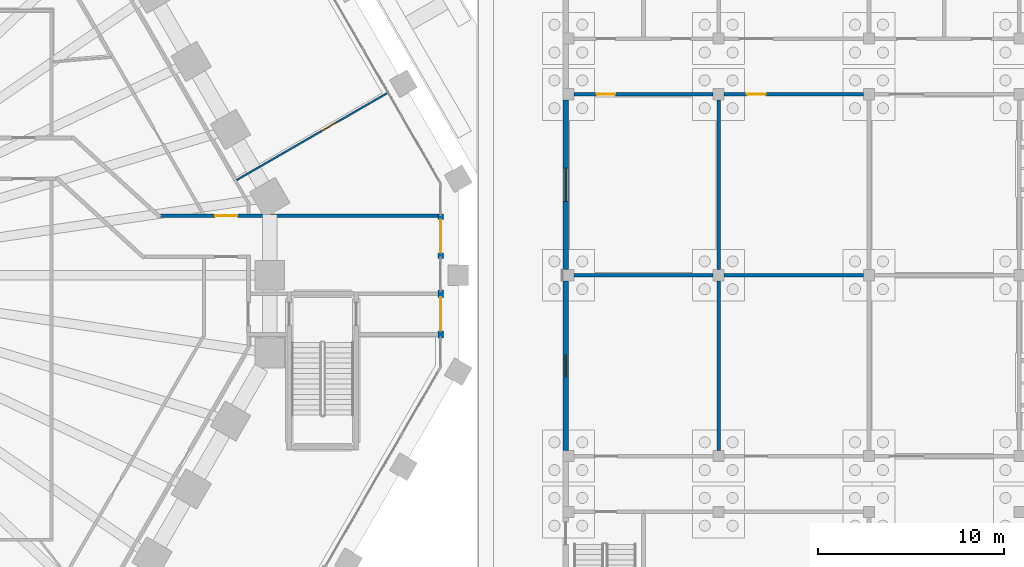
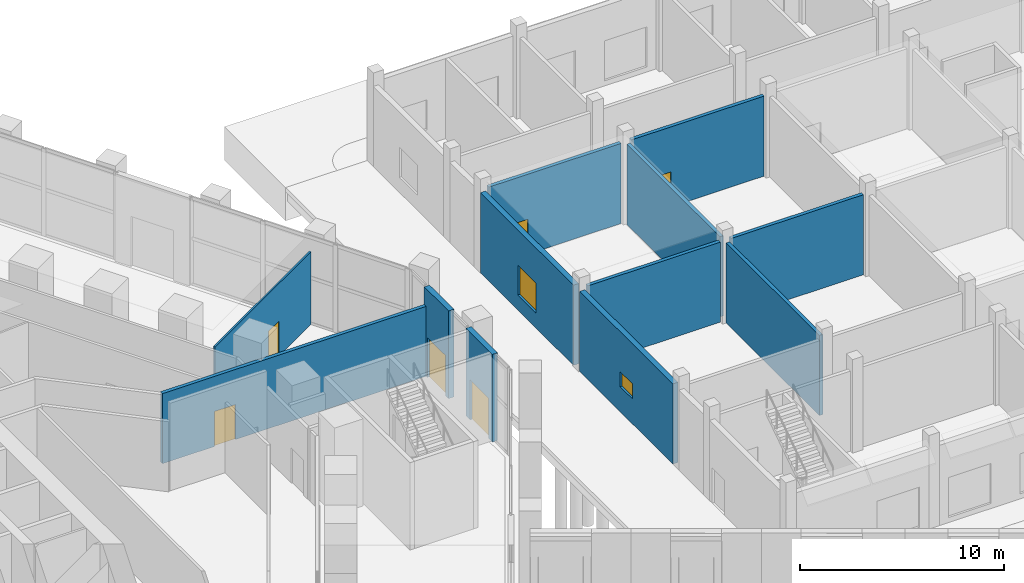
# One storey, part 23 of 44: 12 walls, 6 doors, 2 windows, 8 openings.
"""IFC4 building model written with IfcOpenShell, lengths in metres."""

from ifc_helpers import new_model, si_unit, direction, frame, frame_2d, origin, place, context, subcontext, project, spatial, rectangle, extrude, material, layer, layer_set, type_object, element, fill, save


model = new_model("IFC4")

# Units and contexts
model_context = context("Model", 3, precision=1e-05, world=origin(), true_north=direction((0.0, 1.0)))
body_context = subcontext(model_context, "Body", "Model", "MODEL_VIEW")
ifc_project = project(units=[si_unit("LENGTHUNIT", "METRE"), si_unit("AREAUNIT", "SQUARE_METRE"), si_unit("VOLUMEUNIT", "CUBIC_METRE"), si_unit("PLANEANGLEUNIT", "RADIAN"), si_unit("MASSUNIT", "GRAM", prefix="KILO")], contexts=[model_context])

# Site, building, storey
site_placement = place(None, origin())
site = spatial("IfcSite", under=ifc_project, at=site_placement, CompositionType="ELEMENT")
building_placement = place(site_placement, origin())
building = spatial("IfcBuilding", under=site, at=building_placement, Name="Frailejon Research Tower", CompositionType="ELEMENT")
storey_placement = place(building_placement, origin())
storey = spatial("IfcBuildingStorey", under=building, at=storey_placement, Name="L00", CompositionType="ELEMENT", Elevation=0.0)

# Wall, opening, door
ifc_material_1 = material(Name="Gypsum board and masonry partition", Category="masonry")
ifc_layer_1 = layer(ifc_material_1, 0.199951171875)
ifc_layer_set_1 = layer_set([ifc_layer_1], Name="Enclosure wall EI 120, blockwork 200")
wall_type_1 = type_object("IfcWallType", Name="Enclosure wall EI 120, blockwork 200", PredefinedType="PARTITIONING", material=ifc_layer_set_1)
wall_1_placement = place(storey_placement, frame((22.526611328125, 3.199951171875, 0.0), z_axis=(0.0, 0.0, 1.0), x_axis=(1.0, 0.0, 0.0)))
wall_1 = element("IfcWall", 1, at=wall_1_placement, inside=storey, type_object=wall_type_1, Name="T:IW:L00:048", PredefinedType="PARTITIONING", context=body_context, shape_type="SweptSolid", body=[
    extrude(rectangle(XDim=15.092529296875, YDim=0.199951171875, at=frame_2d((7.54638671875, 0.0))), origin(), (0.0, 0.0, 1.0), 4.199951171875),
])
opening_1_placement = place(wall_1_placement, frame((2.936279296875, 0.0, 0.0)))
opening_1 = element("IfcOpeningElement", 2, at=opening_1_placement, cuts=wall_1, Name="Opening D1022", PredefinedType="OPENING", context=body_context, shape_type="SweptSolid", body=[
    extrude(rectangle(XDim=1.199951171875, YDim=2.10009765625, at=frame_2d((0.60009765625, 1.050048828125))), frame((0.0, 0.10986328125, 0.0), z_axis=(0.0, -1.0, 0.0), x_axis=(1.0, 0.0, 0.0)), (0.0, 0.0, 1.0), 0.219970703125),
])
ifc_material_2 = material(Name="Steel door leaf", Category="steel")
door_type_1 = type_object("IfcDoorType", Name="Door exit passage, steel, fire rated 1200", OperationType="NOTDEFINED", PredefinedType="DOOR", material=ifc_material_2)
door_1_placement = place(opening_1_placement, origin())
door_1 = element("IfcDoor", 3, at=door_1_placement, inside=storey, type_object=door_type_1, Name="D1022", OperationType="SINGLE_SWING_RIGHT", OverallHeight=2.10009765625, OverallWidth=1.199951171875, PredefinedType="DOOR", context=body_context, shape_type="SweptSolid", body=[
    extrude(rectangle(XDim=1.199951171875, YDim=2.10009765625, at=frame_2d((0.60009765625, 1.050048828125))), frame((0.0, 0.02490234375, 0.0), z_axis=(0.0, -1.0, 0.0), x_axis=(1.0, 0.0, 0.0)), (0.0, 0.0, 1.0), 0.050048828125),
])
fill(opening_1, door_1)

# Wall, opening, window
ifc_material_3 = material(Name="Insulated masonry cavity wall", Category="masonry")
ifc_layer_2 = layer(ifc_material_3, 0.300048828125)
ifc_layer_set_2 = layer_set([ifc_layer_2], Name="HC facade wall 300")
wall_type_2 = type_object("IfcWallType", Name="HC facade wall 300", PredefinedType="SOLIDWALL", material=ifc_layer_set_2)
wall_2_placement = place(storey_placement, frame((44.35009765625, -9.449951171875, 0.0), z_axis=(0.0, 0.0, 1.0), x_axis=(0.0, 1.0, 0.0)))
wall_2 = element("IfcWall", 4, at=wall_2_placement, inside=storey, type_object=wall_type_2, Name="HC facade wall", PredefinedType="SOLIDWALL", context=body_context, shape_type="SweptSolid", body=[
    extrude(rectangle(XDim=9.14990234375, YDim=0.300048828125, at=frame_2d((4.574951171875, 0.0))), origin(), (0.0, 0.0, 1.0), 4.800048828125),
])
opening_2_placement = place(wall_2_placement, frame((3.97509765625, 0.0, 1.5)))
opening_2 = element("IfcOpeningElement", 5, at=opening_2_placement, cuts=wall_2, Name="Opening HW011", PredefinedType="OPENING", context=body_context, shape_type="SweptSolid", body=[
    extrude(rectangle(XDim=1.199951171875, YDim=0.89990234375, at=frame_2d((0.60009765625, 0.449951171875))), frame((0.0, 0.159912109375, 0.0), z_axis=(0.0, -1.0, 0.0), x_axis=(1.0, 0.0, 0.0)), (0.0, 0.0, 1.0), 0.320068359375),
])
ifc_material_4 = material(Name="Aluminium framed double glazing", Category="aluminium")
window_type_1 = type_object("IfcWindowType", Name="HC window 1200x900", PartitioningType="SINGLE_PANEL", PredefinedType="WINDOW", material=ifc_material_4)
window_1_placement = place(opening_2_placement, origin())
window_1 = element("IfcWindow", 6, at=window_1_placement, inside=storey, type_object=window_type_1, Name="Window HW011 (HCW2)", OverallHeight=0.89990234375, OverallWidth=1.199951171875, PartitioningType="SINGLE_PANEL", PredefinedType="WINDOW", context=body_context, shape_type="SweptSolid", body=[
    extrude(rectangle(XDim=1.199951171875, YDim=0.89990234375, at=frame_2d((0.60009765625, 0.449951171875))), frame((0.0, 0.030029296875, 0.0), z_axis=(0.0, -1.0, 0.0), x_axis=(1.0, 0.0, 0.0)), (0.0, 0.0, 1.0), 0.06005859375),
])
fill(opening_2, window_1)

wall_3_placement = place(storey_placement, frame((44.35009765625, 0.300048828125, 0.0), z_axis=(0.0, 0.0, 1.0), x_axis=(0.0, 1.0, 0.0)))
wall_3 = element("IfcWall", 7, at=wall_3_placement, inside=storey, type_object=wall_type_2, Name="HC facade wall", PredefinedType="SOLIDWALL", context=body_context, shape_type="SweptSolid", body=[
    extrude(rectangle(XDim=9.14990234375, YDim=0.300048828125, at=frame_2d((4.574951171875, 0.0))), origin(), (0.0, 0.0, 1.0), 4.800048828125),
])
opening_3_placement = place(wall_3_placement, frame((3.675048828125, 0.0, 0.89990234375)))
opening_3 = element("IfcOpeningElement", 8, at=opening_3_placement, cuts=wall_3, Name="Opening HW012", PredefinedType="OPENING", context=body_context, shape_type="SweptSolid", body=[
    extrude(rectangle(XDim=1.800048828125, YDim=1.800048828125, at=frame_2d((0.89990234375, 0.89990234375))), frame((0.0, 0.159912109375, 0.0), z_axis=(0.0, -1.0, 0.0), x_axis=(1.0, 0.0, 0.0)), (0.0, 0.0, 1.0), 0.320068359375),
])
ifc_material_5 = material(Name="Aluminium framed double glazing", Category="aluminium")
window_type_2 = type_object("IfcWindowType", Name="HC window 1800x1800", PartitioningType="SINGLE_PANEL", PredefinedType="WINDOW", material=ifc_material_5)
window_2_placement = place(opening_3_placement, origin())
window_2 = element("IfcWindow", 9, at=window_2_placement, inside=storey, type_object=window_type_2, Name="Window HW012 (HCW1)", OverallHeight=1.800048828125, OverallWidth=1.800048828125, PartitioningType="SINGLE_PANEL", PredefinedType="WINDOW", context=body_context, shape_type="SweptSolid", body=[
    extrude(rectangle(XDim=1.800048828125, YDim=1.800048828125, at=frame_2d((0.89990234375, 0.89990234375))), frame((0.0, 0.030029296875, 0.0), z_axis=(0.0, -1.0, 0.0), x_axis=(1.0, 0.0, 0.0)), (0.0, 0.0, 1.0), 0.06005859375),
])
fill(opening_3, window_2)

# Walls
ifc_material_6 = material(Name="Masonry blockwork partition", Category="masonry")
ifc_layer_3 = layer(ifc_material_6, 0.199951171875)
ifc_layer_set_3 = layer_set([ifc_layer_3], Name="HC partition 200")
wall_type_3 = type_object("IfcWallType", Name="HC partition 200", PredefinedType="PARTITIONING", material=ifc_layer_set_3)
for number, where, z_axis, x_axis, name in (
    (10, (44.800048828125, 0.0, 0.0), (0.0, 0.0, 1.0), (1.0, 0.0, 0.0), "HC partition"),
    (11, (52.89990234375, 0.0, 0.0), (0.0, 0.0, 1.0), (1.0, 0.0, 0.0), "HC partition"),
):
    element("IfcWall", number, at=place(storey_placement, frame(where, z_axis=z_axis, x_axis=x_axis)), inside=storey, type_object=wall_type_3, Name=name, PredefinedType="PARTITIONING", context=body_context, shape_type="SweptSolid", body=[
        extrude(rectangle(XDim=7.5, YDim=0.199951171875, at=frame_2d((3.75, 0.0))), origin(), (0.0, 0.0, 1.0), 4.800048828125),
    ])
for number, where, z_axis, x_axis, name in (
    (12, (52.60009765625, -9.449951171875, 0.0), (0.0, 0.0, 1.0), (0.0, 1.0, 0.0), "HC partition"),
    (13, (52.60009765625, 0.300048828125, 0.0), (0.0, 0.0, 1.0), (0.0, 1.0, 0.0), "HC partition"),
):
    element("IfcWall", number, at=place(storey_placement, frame(where, z_axis=z_axis, x_axis=x_axis)), inside=storey, type_object=wall_type_3, Name=name, PredefinedType="PARTITIONING", context=body_context, shape_type="SweptSolid", body=[
        extrude(rectangle(XDim=9.14990234375, YDim=0.199951171875, at=frame_2d((4.574951171875, 0.0))), origin(), (0.0, 0.0, 1.0), 4.800048828125),
    ])

# Wall, opening, door
wall_4_placement = place(storey_placement, frame((44.800048828125, 9.75, 0.0), z_axis=(0.0, 0.0, 1.0), x_axis=(1.0, 0.0, 0.0)))
wall_4 = element("IfcWall", 14, at=wall_4_placement, inside=storey, type_object=wall_type_3, Name="HC partition", PredefinedType="PARTITIONING", context=body_context, shape_type="SweptSolid", body=[
    extrude(rectangle(XDim=7.5, YDim=0.199951171875, at=frame_2d((3.75, 0.0))), origin(), (0.0, 0.0, 1.0), 4.800048828125),
])
opening_4_placement = place(wall_4_placement, frame((1.22509765625, 0.0, 0.0)))
opening_4 = element("IfcOpeningElement", 15, at=opening_4_placement, cuts=wall_4, Name="Opening HD015", PredefinedType="OPENING", context=body_context, shape_type="SweptSolid", body=[
    extrude(rectangle(XDim=1.0, YDim=2.10009765625, at=frame_2d((0.5, 1.050048828125))), frame((0.0, 0.10986328125, 0.0), z_axis=(0.0, -1.0, 0.0), x_axis=(1.0, 0.0, 0.0)), (0.0, 0.0, 1.0), 0.219970703125),
])
ifc_material_7 = material(Name="Timber veneered fire door leaf", Category="wood")
door_type_2 = type_object("IfcDoorType", Name="HC door 1000 right", OperationType="SINGLE_SWING_RIGHT", PredefinedType="DOOR", material=ifc_material_7)
door_2_placement = place(opening_4_placement, origin())
door_2 = element("IfcDoor", 16, at=door_2_placement, inside=storey, type_object=door_type_2, Name="Door HD015", OperationType="SINGLE_SWING_RIGHT", OverallHeight=2.10009765625, OverallWidth=1.0, PredefinedType="DOOR", context=body_context, shape_type="SweptSolid", body=[
    extrude(rectangle(XDim=1.0, YDim=2.10009765625, at=frame_2d((0.5, 1.050048828125))), frame((0.0, 0.02490234375, 0.0), z_axis=(0.0, -1.0, 0.0), x_axis=(1.0, 0.0, 0.0)), (0.0, 0.0, 1.0), 0.050048828125),
])
fill(opening_4, door_2)

wall_5_placement = place(storey_placement, frame((52.89990234375, 9.75, 0.0), z_axis=(0.0, 0.0, 1.0), x_axis=(1.0, 0.0, 0.0)))
wall_5 = element("IfcWall", 17, at=wall_5_placement, inside=storey, type_object=wall_type_3, Name="HC partition", PredefinedType="PARTITIONING", context=body_context, shape_type="SweptSolid", body=[
    extrude(rectangle(XDim=7.5, YDim=0.199951171875, at=frame_2d((3.75, 0.0))), origin(), (0.0, 0.0, 1.0), 4.800048828125),
])
opening_5_placement = place(wall_5_placement, frame((1.22509765625, 0.0, 0.0)))
opening_5 = element("IfcOpeningElement", 18, at=opening_5_placement, cuts=wall_5, Name="Opening HD016", PredefinedType="OPENING", context=body_context, shape_type="SweptSolid", body=[
    extrude(rectangle(XDim=1.0, YDim=2.10009765625, at=frame_2d((0.5, 1.050048828125))), frame((0.0, 0.10986328125, 0.0), z_axis=(0.0, -1.0, 0.0), x_axis=(1.0, 0.0, 0.0)), (0.0, 0.0, 1.0), 0.219970703125),
])
ifc_material_8 = material(Name="Timber veneered fire door leaf", Category="wood")
door_type_3 = type_object("IfcDoorType", Name="HC door 1000 left", OperationType="SINGLE_SWING_LEFT", PredefinedType="DOOR", material=ifc_material_8)
door_3_placement = place(opening_5_placement, origin())
door_3 = element("IfcDoor", 19, at=door_3_placement, inside=storey, type_object=door_type_3, Name="Door HD016", OperationType="SINGLE_SWING_LEFT", OverallHeight=2.10009765625, OverallWidth=1.0, PredefinedType="DOOR", context=body_context, shape_type="SweptSolid", body=[
    extrude(rectangle(XDim=1.0, YDim=2.10009765625, at=frame_2d((0.5, 1.050048828125))), frame((0.0, 0.02490234375, 0.0), z_axis=(0.0, -1.0, 0.0), x_axis=(1.0, 0.0, 0.0)), (0.0, 0.0, 1.0), 0.050048828125),
])
fill(opening_5, door_3)

ifc_material_9 = material(Name="Gypsum board and masonry partition", Category="masonry")
ifc_layer_4 = layer(ifc_material_9, 0.10009765625)
ifc_layer_set_4 = layer_set([ifc_layer_4], Name="Partition, gypsum on steel studs 100")
wall_type_4 = type_object("IfcWallType", Name="Partition, gypsum on steel studs 100", PredefinedType="PARTITIONING", material=ifc_layer_set_4)
wall_6_placement = place(storey_placement, frame((26.627197265625, 5.130126953125, 0.0), z_axis=(0.0, 0.0, 1.0), x_axis=(0.866020373745, 0.500008712183, 0.0)))
wall_6 = element("IfcWall", 20, at=wall_6_placement, inside=storey, type_object=wall_type_4, Name="T:IW:L00:091", PredefinedType="PARTITIONING", context=body_context, shape_type="SweptSolid", body=[
    extrude(rectangle(XDim=9.425048828125, YDim=0.10009765625, at=frame_2d((4.71240234375, 0.0))), origin(), (0.0, 0.0, 1.0), 4.35009765625),
])
opening_6_placement = place(wall_6_placement, frame((5.24755859375, 0.0, 0.0)))
opening_6 = element("IfcOpeningElement", 21, at=opening_6_placement, cuts=wall_6, Name="Opening D1001", PredefinedType="OPENING", context=body_context, shape_type="SweptSolid", body=[
    extrude(rectangle(XDim=1.0, YDim=2.10009765625, at=frame_2d((0.5, 1.050048828125))), frame((0.0, 0.06005859375, 0.0), z_axis=(0.0, -1.0, 0.0), x_axis=(1.0, 0.0, 0.0)), (0.0, 0.0, 1.0), 0.1201171875),
])
ifc_material_10 = material(Name="Timber door leaf", Category="wood")
door_type_4 = type_object("IfcDoorType", Name="Door single leaf, timber, steel frame 1000", OperationType="NOTDEFINED", PredefinedType="DOOR", material=ifc_material_10)
door_4_placement = place(opening_6_placement, origin())
door_4 = element("IfcDoor", 22, at=door_4_placement, inside=storey, type_object=door_type_4, Name="D1001", OperationType="SINGLE_SWING_RIGHT", OverallHeight=2.10009765625, OverallWidth=1.0, PredefinedType="DOOR", context=body_context, shape_type="SweptSolid", body=[
    extrude(rectangle(XDim=1.0, YDim=2.10009765625, at=frame_2d((0.5, 1.050048828125))), frame((0.0, 0.02490234375, 0.0), z_axis=(0.0, -1.0, 0.0), x_axis=(1.0, 0.0, 0.0)), (0.0, 0.0, 1.0), 0.050048828125),
])
fill(opening_6, door_4)

ifc_material_11 = material(Name="Concrete C40/50 precast exit pier", Category="concrete")
ifc_layer_5 = layer(ifc_material_11, 0.300048828125)
ifc_layer_set_5 = layer_set([ifc_layer_5], Name="Podium exit wall 300")
wall_type_5 = type_object("IfcWallType", Name="Podium exit wall 300", PredefinedType="SOLIDWALL", material=ifc_layer_set_5)
wall_7_placement = place(storey_placement, frame((37.619140625, 0.89990234375, 0.0), z_axis=(0.0, 0.0, 1.0), x_axis=(0.0, 1.0, 0.0)))
wall_7 = element("IfcWall", 23, at=wall_7_placement, inside=storey, type_object=wall_type_5, Name="Exit pier L00", PredefinedType="SOLIDWALL", context=body_context, shape_type="SweptSolid", body=[
    extrude(rectangle(XDim=2.400146484375, YDim=0.300048828125, at=frame_2d((1.2001953125, 0.0))), origin(), (0.0, 0.0, 1.0), 5.25),
])
opening_7_placement = place(wall_7_placement, frame((0.300048828125, 0.0, 0.0)))
opening_7 = element("IfcOpeningElement", 24, at=opening_7_placement, cuts=wall_7, Name="Opening FE-3", PredefinedType="OPENING", context=body_context, shape_type="SweptSolid", body=[
    extrude(rectangle(XDim=1.800048828125, YDim=2.39990234375, at=frame_2d((0.89990234375, 1.199951171875))), frame((0.0, 0.159912109375, 0.0), z_axis=(0.0, -1.0, 0.0), x_axis=(1.0, 0.0, 0.0)), (0.0, 0.0, 1.0), 0.320068359375),
])
ifc_material_12 = material(Name="Aluminium framed glazed door leaf", Category="aluminium")
door_type_5 = type_object("IfcDoorType", Name="Final exit door 1800x2400", OperationType="DOUBLE_DOOR_SINGLE_SWING", PredefinedType="DOOR", material=ifc_material_12)
door_5_placement = place(opening_7_placement, origin())
door_5 = element("IfcDoor", 25, at=door_5_placement, inside=storey, type_object=door_type_5, Name="Door FE-3", OperationType="DOUBLE_DOOR_SINGLE_SWING", OverallHeight=2.39990234375, OverallWidth=1.800048828125, PredefinedType="DOOR", context=body_context, shape_type="SweptSolid", body=[
    extrude(rectangle(XDim=1.800048828125, YDim=2.39990234375, at=frame_2d((0.89990234375, 1.199951171875))), frame((0.0, 0.02490234375, 0.0), z_axis=(0.0, -1.0, 0.0), x_axis=(1.0, 0.0, 0.0)), (0.0, 0.0, 1.0), 0.050048828125),
])
fill(opening_7, door_5)

wall_8_placement = place(storey_placement, frame((37.619140625, -3.393798828125, 0.0), z_axis=(0.0, 0.0, 1.0), x_axis=(0.0, 1.0, 0.0)))
wall_8 = element("IfcWall", 26, at=wall_8_placement, inside=storey, type_object=wall_type_5, Name="Exit pier L00", PredefinedType="SOLIDWALL", context=body_context, shape_type="SweptSolid", body=[
    extrude(rectangle(XDim=2.60009765625, YDim=0.300048828125, at=frame_2d((1.300048828125, 0.0))), origin(), (0.0, 0.0, 1.0), 5.25),
])
opening_8_placement = place(wall_8_placement, frame((2.199951171875, 0.0, 0.0), z_axis=(0.0, 0.0, 1.0), x_axis=(-1.0, 0.0, 0.0)))
opening_8 = element("IfcOpeningElement", 27, at=opening_8_placement, cuts=wall_8, Name="Opening FE-8", PredefinedType="OPENING", context=body_context, shape_type="SweptSolid", body=[
    extrude(rectangle(XDim=1.800048828125, YDim=2.39990234375, at=frame_2d((0.89990234375, 1.199951171875))), frame((0.0, 0.159912109375, 0.0), z_axis=(0.0, -1.0, 0.0), x_axis=(1.0, 0.0, 0.0)), (0.0, 0.0, 1.0), 0.320068359375),
])
door_6_placement = place(opening_8_placement, origin())
door_6 = element("IfcDoor", 28, at=door_6_placement, inside=storey, type_object=door_type_5, Name="Door FE-8", OperationType="DOUBLE_DOOR_SINGLE_SWING", OverallHeight=2.39990234375, OverallWidth=1.800048828125, PredefinedType="DOOR", context=body_context, shape_type="SweptSolid", body=[
    extrude(rectangle(XDim=1.800048828125, YDim=2.39990234375, at=frame_2d((0.89990234375, 1.199951171875))), frame((0.0, 0.02490234375, 0.0), z_axis=(0.0, -1.0, 0.0), x_axis=(1.0, 0.0, 0.0)), (0.0, 0.0, 1.0), 0.050048828125),
])
fill(opening_8, door_6)

save(model, "model.ifc")
